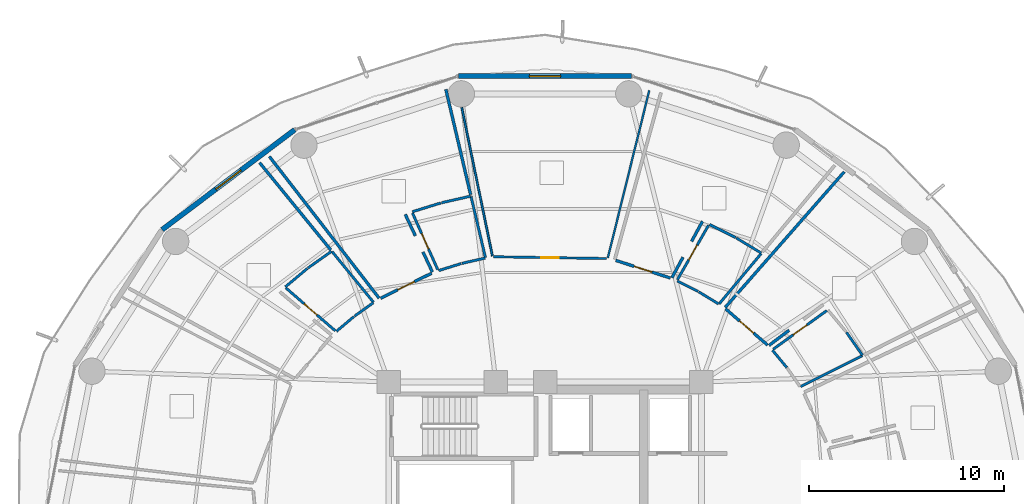
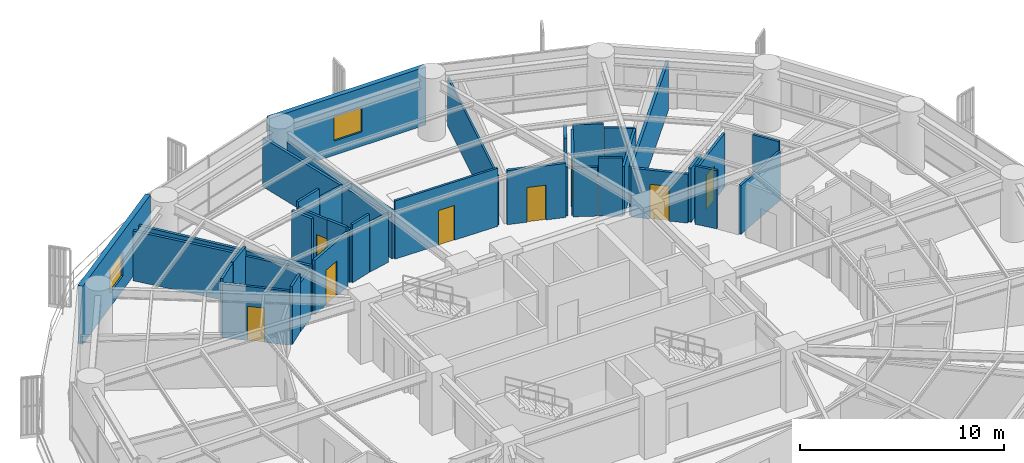
# One storey, part 31 of 36: 39 walls, 8 doors, 2 windows, 10 openings.
"""IFC4 building model written with IfcOpenShell, lengths in metres."""

from ifc_helpers import new_model, si_unit, direction, frame, frame_2d, origin, place, context, subcontext, project, spatial, rectangle, extrude, material, layer, layer_set, type_object, element, fill, save


model = new_model("IFC4")

# Units and contexts
model_context = context("Model", 3, precision=1e-05, world=origin(), true_north=direction((0.0, 1.0)))
body_context = subcontext(model_context, "Body", "Model", "MODEL_VIEW")
ifc_project = project(units=[si_unit("LENGTHUNIT", "METRE"), si_unit("AREAUNIT", "SQUARE_METRE"), si_unit("VOLUMEUNIT", "CUBIC_METRE"), si_unit("PLANEANGLEUNIT", "RADIAN"), si_unit("MASSUNIT", "GRAM", prefix="KILO")], contexts=[model_context])

# Site, building, storey
site_placement = place(None, origin())
site = spatial("IfcSite", under=ifc_project, at=site_placement, CompositionType="ELEMENT")
building_placement = place(site_placement, origin())
building = spatial("IfcBuilding", under=site, at=building_placement, Name="Kelanora Arch Commons", CompositionType="ELEMENT")
storey_placement = place(building_placement, frame((0.0, 0.0, 102.60009765625)))
storey = spatial("IfcBuildingStorey", under=building, at=storey_placement, Name="L26", CompositionType="ELEMENT", Elevation=102.60009765625)

# Wall, opening, door
ifc_material_1 = material(Name="Autoclaved aerated concrete blockwork with fire plaster", Category="masonry")
ifc_layer_1 = layer(ifc_material_1, 0.14990234375)
ifc_layer_set_1 = layer_set([ifc_layer_1], Name="Autoclaved aerated concrete blockwork with fire plaster")
wall_type_1 = type_object("IfcWallType", Name="W-COMP-150", PredefinedType="PARTITIONING", material=ifc_layer_set_1)
wall_1_placement = place(storey_placement, frame((85.384521484375, 66.89013671875, 0.0), z_axis=(0.0, 0.0, 1.0), x_axis=(-0.756913909666, 0.65351460072, 0.0)))
wall_1 = element("IfcWall", 1, at=wall_1_placement, inside=storey, type_object=wall_type_1, Name="Co-Living Studio L26-02 Entry Partition", PredefinedType="PARTITIONING", context=body_context, shape_type="SweptSolid", body=[
    extrude(rectangle(XDim=2.838134765625, YDim=0.14990234375, at=frame_2d((1.4189453125, 0.0))), origin(), (0.0, 0.0, 1.0), 2.9248046875),
])
opening_1_placement = place(wall_1_placement, frame((0.944091796875, 0.0, 0.0)))
opening_1 = element("IfcOpeningElement", 2, at=opening_1_placement, cuts=wall_1, Name="Opening D-CLU1", PredefinedType="OPENING", context=body_context, shape_type="SweptSolid", body=[
    extrude(rectangle(XDim=0.949951171875, YDim=2.080078125, at=frame_2d((0.47509765625, 1.0400390625))), frame((0.0, 0.0849609375, 0.0), z_axis=(0.0, -1.0, 0.0), x_axis=(1.0, 0.0, 0.0)), (0.0, 0.0, 1.0), 0.169921875),
])
ifc_material_2 = material(Name="Solid-core acoustic timber cluster entry fire door", Category="wood")
door_type_1 = type_object("IfcDoorType", Name="D-CLU-95", OperationType="NOTDEFINED", PredefinedType="DOOR", material=ifc_material_2)
door_1_placement = place(opening_1_placement, origin())
door_1 = element("IfcDoor", 3, at=door_1_placement, inside=storey, type_object=door_type_1, Name="Co-Living Studio L26-02 Door", OperationType="SINGLE_SWING_RIGHT", OverallHeight=2.080078125, OverallWidth=0.949951171875, PredefinedType="DOOR", context=body_context, shape_type="SweptSolid", body=[
    extrude(rectangle(XDim=0.949951171875, YDim=2.080078125, at=frame_2d((0.47509765625, 1.0400390625))), frame((0.0, 0.02490234375, 0.0), z_axis=(0.0, -1.0, 0.0), x_axis=(1.0, 0.0, 0.0)), (0.0, 0.0, 1.0), 0.050048828125),
])
fill(opening_1, door_1)

wall_2_placement = place(storey_placement, frame((80.414794921875, 70.3203125, 0.0), z_axis=(0.0, 0.0, 1.0), x_axis=(-0.951622481895, 0.307269673009, 0.0)))
wall_2 = element("IfcWall", 4, at=wall_2_placement, inside=storey, type_object=wall_type_1, Name="Co-Living Studio L26-03 Entry Partition", PredefinedType="PARTITIONING", context=body_context, shape_type="SweptSolid", body=[
    extrude(rectangle(XDim=2.93994140625, YDim=0.14990234375, at=frame_2d((1.469970703125, 0.0))), origin(), (0.0, 0.0, 1.0), 3.23486328125),
])
opening_2_placement = place(wall_2_placement, frame((0.9951171875, 0.0, 0.0)))
opening_2 = element("IfcOpeningElement", 5, at=opening_2_placement, cuts=wall_2, Name="Opening D-CLU1", PredefinedType="OPENING", context=body_context, shape_type="SweptSolid", body=[
    extrude(rectangle(XDim=0.949951171875, YDim=2.080078125, at=frame_2d((0.47509765625, 1.0400390625))), frame((0.0, 0.0849609375, 0.0), z_axis=(0.0, -1.0, 0.0), x_axis=(1.0, 0.0, 0.0)), (0.0, 0.0, 1.0), 0.169921875),
])
door_2_placement = place(opening_2_placement, origin())
door_2 = element("IfcDoor", 6, at=door_2_placement, inside=storey, type_object=door_type_1, Name="Co-Living Studio L26-03 Door", OperationType="SINGLE_SWING_RIGHT", OverallHeight=2.080078125, OverallWidth=0.949951171875, PredefinedType="DOOR", context=body_context, shape_type="SweptSolid", body=[
    extrude(rectangle(XDim=0.949951171875, YDim=2.080078125, at=frame_2d((0.47509765625, 1.0400390625))), frame((0.0, 0.02490234375, 0.0), z_axis=(0.0, -1.0, 0.0), x_axis=(1.0, 0.0, 0.0)), (0.0, 0.0, 1.0), 0.050048828125),
])
fill(opening_2, door_2)

wall_3_placement = place(storey_placement, frame((68.196044921875, 70.566650390625, 0.0), z_axis=(0.0, 0.0, 1.0), x_axis=(-0.89794088417, -0.440116085296, 0.0)))
wall_3 = element("IfcWall", 7, at=wall_3_placement, inside=storey, type_object=wall_type_1, Name="Co-Living Studio L26-05 Entry Partition", PredefinedType="PARTITIONING", context=body_context, shape_type="SweptSolid", body=[
    extrude(rectangle(XDim=2.908935546875, YDim=0.14990234375, at=frame_2d((1.45458984375, 0.0))), origin(), (0.0, 0.0, 1.0), 3.23486328125),
])
opening_3_placement = place(wall_3_placement, frame((0.97998046875, 0.0, 0.0)))
opening_3 = element("IfcOpeningElement", 8, at=opening_3_placement, cuts=wall_3, Name="Opening D-CLU1", PredefinedType="OPENING", context=body_context, shape_type="SweptSolid", body=[
    extrude(rectangle(XDim=0.949951171875, YDim=2.080078125, at=frame_2d((0.47509765625, 1.0400390625))), frame((0.0, 0.0849609375, 0.0), z_axis=(0.0, -1.0, 0.0), x_axis=(1.0, 0.0, 0.0)), (0.0, 0.0, 1.0), 0.169921875),
])
door_3_placement = place(opening_3_placement, origin())
door_3 = element("IfcDoor", 9, at=door_3_placement, inside=storey, type_object=door_type_1, Name="Co-Living Studio L26-05 Door", OperationType="SINGLE_SWING_LEFT", OverallHeight=2.080078125, OverallWidth=0.949951171875, PredefinedType="DOOR", context=body_context, shape_type="SweptSolid", body=[
    extrude(rectangle(XDim=0.949951171875, YDim=2.080078125, at=frame_2d((0.47509765625, 1.0400390625))), frame((0.0, 0.02490234375, 0.0), z_axis=(0.0, -1.0, 0.0), x_axis=(1.0, 0.0, 0.0)), (0.0, 0.0, 1.0), 0.050048828125),
])
fill(opening_3, door_3)

# Walls
wall_4_placement = place(storey_placement, frame((83.21728515625, 68.814208984375, 0.0), z_axis=(0.0, 0.0, 1.0), x_axis=(0.659635901966, 0.751585309088, 0.0)))
element("IfcWall", 10, at=wall_4_placement, inside=storey, type_object=wall_type_1, Name="Co-Living Studio L26-02 Enclosure Partition 2", PredefinedType="PARTITIONING", context=body_context, shape_type="SweptSolid", body=[
    extrude(rectangle(XDim=9.2373046875, YDim=0.14990234375, at=frame_2d((4.61865234375, 0.0))), origin(), (0.0, 0.0, 1.0), 2.9248046875),
])
wall_5_placement = place(storey_placement, frame((86.4912109375, 67.649169921875, 0.0), z_axis=(0.0, 0.0, 1.0), x_axis=(-0.799180360415, -0.601091300492, 0.0)))
element("IfcWall", 11, at=wall_5_placement, inside=storey, type_object=wall_type_1, Name="Co-Living Studio L26-02 Enclosure Partition 7", PredefinedType="PARTITIONING", context=body_context, shape_type="SweptSolid", body=[
    extrude(rectangle(XDim=1.287841796875, YDim=0.14990234375, at=frame_2d((0.64404296875, 0.0))), origin(), (0.0, 0.0, 1.0), 3.23486328125),
])
wall_6_placement = place(storey_placement, frame((82.053955078125, 73.2216796875, 0.0), z_axis=(0.0, 0.0, 1.0), x_axis=(-0.476431432847, -0.879211629698, 0.0)))
element("IfcWall", 12, at=wall_6_placement, inside=storey, type_object=wall_type_1, Name="Co-Living Studio L26-03 Enclosure Partition 7", PredefinedType="PARTITIONING", context=body_context, shape_type="SweptSolid", body=[
    extrude(rectangle(XDim=1.166748046875, YDim=0.14990234375, at=frame_2d((0.58349609375, 0.0))), origin(), (0.0, 0.0, 1.0), 3.1748046875),
])
wall_7_placement = place(storey_placement, frame((81.0595703125, 71.38671875, 0.0), z_axis=(0.0, 0.0, 1.0), x_axis=(-0.476184304259, -0.879345500004, 0.0)))
element("IfcWall", 13, at=wall_7_placement, inside=storey, type_object=wall_type_1, Name="Co-Living Studio L26-03 Enclosure Partition 7", PredefinedType="PARTITIONING", context=body_context, shape_type="SweptSolid", body=[
    extrude(rectangle(XDim=1.193603515625, YDim=0.14990234375, at=frame_2d((0.5966796875, 0.0))), origin(), (0.0, 0.0, 1.0), 2.9248046875),
])
wall_8_placement = place(storey_placement, frame((65.505615234375, 69.29150390625, 0.0), z_axis=(0.0, 0.0, 1.0), x_axis=(-0.612364923916, 0.790575233585, 0.0)))
element("IfcWall", 14, at=wall_8_placement, inside=storey, type_object=wall_type_1, Name="Co-Living Studio L26-05 Enclosure Partition 2", PredefinedType="PARTITIONING", context=body_context, shape_type="SweptSolid", body=[
    extrude(rectangle(XDim=9.167724609375, YDim=0.14990234375, at=frame_2d((4.583984375, 0.0))), origin(), (0.0, 0.0, 1.0), 2.9248046875),
])
wall_9_placement = place(storey_placement, frame((68.923095703125, 79.97412109375, 0.0), z_axis=(0.0, 0.0, 1.0), x_axis=(0.228901508724, -0.973449587449, 0.0)))
element("IfcWall", 15, at=wall_9_placement, inside=storey, type_object=wall_type_1, Name="Co-Living Studio L26-05 Enclosure Partition 5", PredefinedType="PARTITIONING", context=body_context, shape_type="SweptSolid", body=[
    extrude(rectangle(XDim=5.529052734375, YDim=0.14990234375, at=frame_2d((2.7646484375, 0.0))), origin(), (0.0, 0.0, 1.0), 2.9248046875),
])
wall_10_placement = place(storey_placement, frame((66.843994140625, 73.581787109375, 0.0), z_axis=(0.0, 0.0, 1.0), x_axis=(0.42562282943, -0.904900661436, 0.0)))
element("IfcWall", 16, at=wall_10_placement, inside=storey, type_object=wall_type_1, Name="Co-Living Studio L26-05 Enclosure Partition 7", PredefinedType="PARTITIONING", context=body_context, shape_type="SweptSolid", body=[
    extrude(rectangle(XDim=1.21484375, YDim=0.14990234375, at=frame_2d((0.607421875, 0.0))), origin(), (0.0, 0.0, 1.0), 3.1748046875),
])
wall_11_placement = place(storey_placement, frame((67.7529296875, 71.649658203125, 0.0), z_axis=(0.0, 0.0, 1.0), x_axis=(0.425609366017, -0.904906993872, 0.0)))
element("IfcWall", 17, at=wall_11_placement, inside=storey, type_object=wall_type_1, Name="Co-Living Studio L26-05 Enclosure Partition 7", PredefinedType="PARTITIONING", context=body_context, shape_type="SweptSolid", body=[
    extrude(rectangle(XDim=1.127685546875, YDim=0.14990234375, at=frame_2d((0.56396484375, 0.0))), origin(), (0.0, 0.0, 1.0), 3.47998046875),
])
wall_12_placement = place(storey_placement, frame((59.390380859375, 76.22509765625, 0.0), z_axis=(0.0, 0.0, 1.0), x_axis=(0.632139440809, -0.774854649192, 0.0)))
element("IfcWall", 18, at=wall_12_placement, inside=storey, type_object=wall_type_1, Name="Co-Living Studio L26-06 Enclosure Partition 5", PredefinedType="PARTITIONING", context=body_context, shape_type="SweptSolid", body=[
    extrude(rectangle(XDim=5.764892578125, YDim=0.14990234375, at=frame_2d((2.88232421875, 0.0))), origin(), (0.0, 0.0, 1.0), 2.974853515625),
])

# Wall, opening, window
ifc_material_3 = material(Name="Precast concrete C40/50 with terracotta rainscreen", Category="masonry")
ifc_layer_2 = layer(ifc_material_3, 0.260009765625)
ifc_layer_set_2 = layer_set([ifc_layer_2], Name="Precast concrete C40/50 with terracotta rainscreen")
wall_type_2 = type_object("IfcWallType", Name="W-EXT-TC", PredefinedType="SOLIDWALL", material=ifc_layer_set_2)
wall_13_placement = place(storey_placement, frame((78.430419921875, 80.650634765625, 0.0), z_axis=(0.0, 0.0, 1.0), x_axis=(-1.0, 0.0, 0.0)))
wall_13 = element("IfcWall", 19, at=wall_13_placement, inside=storey, type_object=wall_type_2, Name="Terracotta Exterior Wall L26-B04", PredefinedType="SOLIDWALL", context=body_context, shape_type="SweptSolid", body=[
    extrude(rectangle(XDim=8.86083984375, YDim=0.260009765625, at=frame_2d((4.430419921875, 0.0))), origin(), (0.0, 0.0, 1.0), 3.474853515625),
])
opening_4_placement = place(wall_13_placement, frame((3.6298828125, 0.0, 0.85009765625)))
opening_4 = element("IfcOpeningElement", 20, at=opening_4_placement, cuts=wall_13, Name="Opening WN-01", PredefinedType="OPENING", context=body_context, shape_type="SweptSolid", body=[
    extrude(rectangle(XDim=1.60009765625, YDim=1.449951171875, at=frame_2d((0.800048828125, 0.72509765625))), frame((0.0, 0.14013671875, 0.0), z_axis=(0.0, -1.0, 0.0), x_axis=(1.0, 0.0, 0.0)), (0.0, 0.0, 1.0), 0.280029296875),
])
ifc_material_4 = material(Name="Terracotta-anodised aluminium frame with operable low-E glazing", Category="masonry")
window_type = type_object("IfcWindowType", Name="WIN-CL-18", PartitioningType="DOUBLE_PANEL_VERTICAL", PredefinedType="WINDOW", material=ifc_material_4)
window_1_placement = place(opening_4_placement, origin())
window_1 = element("IfcWindow", 21, at=window_1_placement, inside=storey, type_object=window_type, Name="Co-Living Operable Window L26-B04", OverallHeight=1.449951171875, OverallWidth=1.60009765625, PartitioningType="SINGLE_PANEL", PredefinedType="WINDOW", context=body_context, shape_type="SweptSolid", body=[
    extrude(rectangle(XDim=1.60009765625, YDim=1.449951171875, at=frame_2d((0.800048828125, 0.72509765625))), frame((0.0, 0.030029296875, 0.0), z_axis=(0.0, -1.0, 0.0), x_axis=(1.0, 0.0, 0.0)), (0.0, 0.0, 1.0), 0.06005859375),
])
fill(opening_4, window_1)

wall_14_placement = place(storey_placement, frame((61.18798828125, 77.90966796875, 0.0), z_axis=(0.0, 0.0, 1.0), x_axis=(-0.798501507879, -0.601992808857, 0.0)))
wall_14 = element("IfcWall", 22, at=wall_14_placement, inside=storey, type_object=wall_type_2, Name="Terracotta Exterior Wall L26-B06", PredefinedType="SOLIDWALL", context=body_context, shape_type="SweptSolid", body=[
    extrude(rectangle(XDim=8.499267578125, YDim=0.260009765625, at=frame_2d((4.24951171875, 0.0))), origin(), (0.0, 0.0, 1.0), 3.474853515625),
])
opening_5_placement = place(wall_14_placement, frame((3.449951171875, 0.0, 0.85009765625)))
opening_5 = element("IfcOpeningElement", 23, at=opening_5_placement, cuts=wall_14, Name="Opening WN-01", PredefinedType="OPENING", context=body_context, shape_type="SweptSolid", body=[
    extrude(rectangle(XDim=1.60009765625, YDim=1.449951171875, at=frame_2d((0.800048828125, 0.72509765625))), frame((0.0, 0.14013671875, 0.0), z_axis=(0.0, -1.0, 0.0), x_axis=(1.0, 0.0, 0.0)), (0.0, 0.0, 1.0), 0.280029296875),
])
window_2_placement = place(opening_5_placement, origin())
window_2 = element("IfcWindow", 24, at=window_2_placement, inside=storey, type_object=window_type, Name="Co-Living Operable Window L26-B06", OverallHeight=1.449951171875, OverallWidth=1.60009765625, PartitioningType="SINGLE_PANEL", PredefinedType="WINDOW", context=body_context, shape_type="SweptSolid", body=[
    extrude(rectangle(XDim=1.60009765625, YDim=1.449951171875, at=frame_2d((0.800048828125, 0.72509765625))), frame((0.0, 0.030029296875, 0.0), z_axis=(0.0, -1.0, 0.0), x_axis=(1.0, 0.0, 0.0)), (0.0, 0.0, 1.0), 0.06005859375),
])
fill(opening_5, window_2)

# Walls
ifc_material_5 = material(Name="Lightweight fire-rated acoustic stud partition")
ifc_layer_3 = layer(ifc_material_5, 0.10009765625)
ifc_layer_set_3 = layer_set([ifc_layer_3], Name="Lightweight fire-rated acoustic stud partition")
wall_type_3 = type_object("IfcWallType", Name="W-PART-100", PredefinedType="PARTITIONING", material=ifc_layer_set_3)
wall_15_placement = place(storey_placement, frame((71.304931640625, 71.44921875, 0.0), z_axis=(0.0, 0.0, 1.0), x_axis=(-0.202123638545, 0.979360012836, 0.0)))
element("IfcWall", 25, at=wall_15_placement, inside=storey, type_object=wall_type_3, Name="Communal Dining and Social Hall L26-04 Enclosure Partition 2", PredefinedType="PARTITIONING", context=body_context, shape_type="SweptSolid", body=[
    extrude(rectangle(XDim=7.755859375, YDim=0.10009765625, at=frame_2d((3.8779296875, 0.0))), origin(), (0.0, 0.0, 1.0), 2.9248046875),
])
wall_16_placement = place(storey_placement, frame((79.33349609375, 79.92529296875, 0.0), z_axis=(0.0, 0.0, 1.0), x_axis=(-0.240342194274, -0.970688224741, 0.0)))
element("IfcWall", 26, at=wall_16_placement, inside=storey, type_object=wall_type_3, Name="Communal Dining and Social Hall L26-04 Enclosure Partition 4", PredefinedType="PARTITIONING", context=body_context, shape_type="SweptSolid", body=[
    extrude(rectangle(XDim=8.828369140625, YDim=0.10009765625, at=frame_2d((4.4140625, 0.0))), origin(), (0.0, 0.0, 1.0), 2.9248046875),
])

# Wall, opening, door
ifc_material_6 = material(Name="Acoustic twin-stud fire-rated gypsum partition")
ifc_layer_4 = layer(ifc_material_6, 0.1201171875)
ifc_layer_set_4 = layer_set([ifc_layer_4], Name="Acoustic twin-stud fire-rated gypsum partition")
wall_type_4 = type_object("IfcWallType", Name="W-PART-120", PredefinedType="PARTITIONING", material=ifc_layer_set_4)
wall_17_placement = place(storey_placement, frame((77.14208984375, 71.31787109375, 0.0), z_axis=(0.0, 0.0, 1.0), x_axis=(-0.999874771211, 0.015825356091, 0.0)))
wall_17 = element("IfcWall", 27, at=wall_17_placement, inside=storey, type_object=wall_type_4, Name="Communal Dining and Social Hall L26-04 Entry Partition", PredefinedType="PARTITIONING", context=body_context, shape_type="SweptSolid", body=[
    extrude(rectangle(XDim=5.769775390625, YDim=0.1201171875, at=frame_2d((2.884765625, 0.0))), origin(), (0.0, 0.0, 1.0), 3.47998046875),
])
opening_6_placement = place(wall_17_placement, frame((2.43505859375, 0.0, 0.0)))
opening_6 = element("IfcOpeningElement", 28, at=opening_6_placement, cuts=wall_17, Name="Opening D-RM1", PredefinedType="OPENING", context=body_context, shape_type="SweptSolid", body=[
    extrude(rectangle(XDim=0.89990234375, YDim=2.080078125, at=frame_2d((0.449951171875, 1.0400390625))), frame((0.0, 0.070068359375, 0.0), z_axis=(0.0, -1.0, 0.0), x_axis=(1.0, 0.0, 0.0)), (0.0, 0.0, 1.0), 0.14013671875),
])
ifc_material_7 = material(Name="Acoustic fire-rated timber study and lounge door", Category="wood")
door_type_2 = type_object("IfcDoorType", Name="D-ROOM-90", OperationType="NOTDEFINED", PredefinedType="DOOR", material=ifc_material_7)
door_4_placement = place(opening_6_placement, origin())
door_4 = element("IfcDoor", 29, at=door_4_placement, inside=storey, type_object=door_type_2, Name="Communal Dining and Social Hall L26-04 Door", OperationType="SINGLE_SWING_LEFT", OverallHeight=2.080078125, OverallWidth=0.89990234375, PredefinedType="DOOR", context=body_context, shape_type="SweptSolid", body=[
    extrude(rectangle(XDim=0.89990234375, YDim=2.080078125, at=frame_2d((0.449951171875, 1.0400390625))), frame((0.0, 0.02490234375, 0.0), z_axis=(0.0, -1.0, 0.0), x_axis=(1.0, 0.0, 0.0)), (0.0, 0.0, 1.0), 0.050048828125),
])
fill(opening_6, door_4)

ifc_material_8 = material(Name="Moisture-resistant fire-rated cement-board plumbing wall")
ifc_layer_5 = layer(ifc_material_8, 0.1298828125)
ifc_layer_set_5 = layer_set([ifc_layer_5], Name="Moisture-resistant fire-rated cement-board plumbing wall")
wall_type_5 = type_object("IfcWallType", Name="W-WET-120", PredefinedType="PLUMBINGWALL", material=ifc_layer_set_5)
wall_18_placement = place(storey_placement, frame((85.672607421875, 66.676025390625, 0.0), z_axis=(0.0, 0.0, 1.0), x_axis=(0.811192287952, 0.584779507137, 0.0)))
wall_18 = element("IfcWall", 30, at=wall_18_placement, inside=storey, type_object=wall_type_5, Name="En-Suite Shower WC L26-02 Entry Partition", PredefinedType="PLUMBINGWALL", context=body_context, shape_type="SweptSolid", body=[
    extrude(rectangle(XDim=3.3857421875, YDim=0.1298828125, at=frame_2d((1.69287109375, 0.0))), origin(), (0.0, 0.0, 1.0), 3.23486328125),
])
opening_7_placement = place(wall_18_placement, frame((1.262939453125, 0.0, 0.0)))
opening_7 = element("IfcOpeningElement", 31, at=opening_7_placement, cuts=wall_18, Name="Opening D-BT1", PredefinedType="OPENING", context=body_context, shape_type="SweptSolid", body=[
    extrude(rectangle(XDim=0.860107421875, YDim=2.050048828125, at=frame_2d((0.43017578125, 1.02490234375))), frame((0.0, 0.074951171875, 0.0), z_axis=(0.0, -1.0, 0.0), x_axis=(1.0, 0.0, 0.0)), (0.0, 0.0, 1.0), 0.14990234375),
])
ifc_material_9 = material(Name="Moisture-sealed fire-rated accessible bathroom door")
door_type_3 = type_object("IfcDoorType", Name="D-BATH-85", OperationType="NOTDEFINED", PredefinedType="DOOR", material=ifc_material_9)
door_5_placement = place(opening_7_placement, origin())
door_5 = element("IfcDoor", 32, at=door_5_placement, inside=storey, type_object=door_type_3, Name="En-Suite Shower WC L26-02 Door", OperationType="SINGLE_SWING_LEFT", OverallHeight=2.050048828125, OverallWidth=0.860107421875, PredefinedType="DOOR", context=body_context, shape_type="SweptSolid", body=[
    extrude(rectangle(XDim=0.860107421875, YDim=2.050048828125, at=frame_2d((0.43017578125, 1.02490234375))), frame((0.0, 0.02490234375, 0.0), z_axis=(0.0, -1.0, 0.0), x_axis=(1.0, 0.0, 0.0)), (0.0, 0.0, 1.0), 0.050048828125),
])
fill(opening_7, door_5)

wall_19_placement = place(storey_placement, frame((80.772705078125, 70.233154296875, 0.0), z_axis=(0.0, 0.0, 1.0), x_axis=(0.49568821927, 0.868500540747, 0.0)))
wall_19 = element("IfcWall", 33, at=wall_19_placement, inside=storey, type_object=wall_type_5, Name="En-Suite Shower WC L26-03 Entry Partition", PredefinedType="PLUMBINGWALL", context=body_context, shape_type="SweptSolid", body=[
    extrude(rectangle(XDim=3.208740234375, YDim=0.1298828125, at=frame_2d((1.6044921875, 0.0))), origin(), (0.0, 0.0, 1.0), 2.9248046875),
])
opening_8_placement = place(wall_19_placement, frame((1.174072265625, 0.0, 0.0)))
opening_8 = element("IfcOpeningElement", 34, at=opening_8_placement, cuts=wall_19, Name="Opening D-BT1", PredefinedType="OPENING", context=body_context, shape_type="SweptSolid", body=[
    extrude(rectangle(XDim=0.860107421875, YDim=2.050048828125, at=frame_2d((0.43017578125, 1.02490234375))), frame((0.0, 0.074951171875, 0.0), z_axis=(0.0, -1.0, 0.0), x_axis=(1.0, 0.0, 0.0)), (0.0, 0.0, 1.0), 0.14990234375),
])
door_6_placement = place(opening_8_placement, origin())
door_6 = element("IfcDoor", 35, at=door_6_placement, inside=storey, type_object=door_type_3, Name="En-Suite Shower WC L26-03 Door", OperationType="SINGLE_SWING_LEFT", OverallHeight=2.050048828125, OverallWidth=0.860107421875, PredefinedType="DOOR", context=body_context, shape_type="SweptSolid", body=[
    extrude(rectangle(XDim=0.860107421875, YDim=2.050048828125, at=frame_2d((0.43017578125, 1.02490234375))), frame((0.0, 0.02490234375, 0.0), z_axis=(0.0, -1.0, 0.0), x_axis=(1.0, 0.0, 0.0)), (0.0, 0.0, 1.0), 0.050048828125),
])
fill(opening_8, door_6)

wall_20_placement = place(storey_placement, frame((68.505615234375, 70.749755859375, 0.0), z_axis=(0.0, 0.0, 1.0), x_axis=(-0.406231177337, 0.913770337973, 0.0)))
wall_20 = element("IfcWall", 36, at=wall_20_placement, inside=storey, type_object=wall_type_5, Name="En-Suite Shower WC L26-05 Entry Partition", PredefinedType="PLUMBINGWALL", context=body_context, shape_type="SweptSolid", body=[
    extrude(rectangle(XDim=3.17626953125, YDim=0.1298828125, at=frame_2d((1.588134765625, 0.0))), origin(), (0.0, 0.0, 1.0), 3.1748046875),
])
opening_9_placement = place(wall_20_placement, frame((1.157958984375, 0.0, 0.0)))
opening_9 = element("IfcOpeningElement", 37, at=opening_9_placement, cuts=wall_20, Name="Opening D-BT1", PredefinedType="OPENING", context=body_context, shape_type="SweptSolid", body=[
    extrude(rectangle(XDim=0.860107421875, YDim=2.050048828125, at=frame_2d((0.43017578125, 1.02490234375))), frame((0.0, 0.074951171875, 0.0), z_axis=(0.0, -1.0, 0.0), x_axis=(1.0, 0.0, 0.0)), (0.0, 0.0, 1.0), 0.14990234375),
])
door_7_placement = place(opening_9_placement, origin())
door_7 = element("IfcDoor", 38, at=door_7_placement, inside=storey, type_object=door_type_3, Name="En-Suite Shower WC L26-05 Door", OperationType="SINGLE_SWING_RIGHT", OverallHeight=2.050048828125, OverallWidth=0.860107421875, PredefinedType="DOOR", context=body_context, shape_type="SweptSolid", body=[
    extrude(rectangle(XDim=0.860107421875, YDim=2.050048828125, at=frame_2d((0.43017578125, 1.02490234375))), frame((0.0, 0.02490234375, 0.0), z_axis=(0.0, -1.0, 0.0), x_axis=(1.0, 0.0, 0.0)), (0.0, 0.0, 1.0), 0.050048828125),
])
fill(opening_9, door_7)

wall_21_placement = place(storey_placement, frame((63.263671875, 67.619384765625, 0.0), z_axis=(0.0, 0.0, 1.0), x_axis=(-0.75497608509, 0.65575232439, 0.0)))
wall_21 = element("IfcWall", 39, at=wall_21_placement, inside=storey, type_object=wall_type_5, Name="En-Suite Shower WC L26-06 Entry Partition", PredefinedType="PLUMBINGWALL", context=body_context, shape_type="SweptSolid", body=[
    extrude(rectangle(XDim=3.34619140625, YDim=0.1298828125, at=frame_2d((1.673095703125, 0.0))), origin(), (0.0, 0.0, 1.0), 3.23486328125),
])
opening_10_placement = place(wall_21_placement, frame((1.242919921875, 0.0, 0.0)))
opening_10 = element("IfcOpeningElement", 40, at=opening_10_placement, cuts=wall_21, Name="Opening D-BT1", PredefinedType="OPENING", context=body_context, shape_type="SweptSolid", body=[
    extrude(rectangle(XDim=0.860107421875, YDim=2.050048828125, at=frame_2d((0.43017578125, 1.02490234375))), frame((0.0, 0.074951171875, 0.0), z_axis=(0.0, -1.0, 0.0), x_axis=(1.0, 0.0, 0.0)), (0.0, 0.0, 1.0), 0.14990234375),
])
door_8_placement = place(opening_10_placement, origin())
door_8 = element("IfcDoor", 41, at=door_8_placement, inside=storey, type_object=door_type_3, Name="En-Suite Shower WC L26-06 Door", OperationType="SINGLE_SWING_RIGHT", OverallHeight=2.050048828125, OverallWidth=0.860107421875, PredefinedType="DOOR", context=body_context, shape_type="SweptSolid", body=[
    extrude(rectangle(XDim=0.860107421875, YDim=2.050048828125, at=frame_2d((0.43017578125, 1.02490234375))), frame((0.0, 0.02490234375, 0.0), z_axis=(0.0, -1.0, 0.0), x_axis=(1.0, 0.0, 0.0)), (0.0, 0.0, 1.0), 0.050048828125),
])
fill(opening_10, door_8)

# Walls
wall_22_placement = place(storey_placement, frame((86.3701171875, 65.739501953125, 0.0), z_axis=(0.0, 0.0, 1.0), x_axis=(-0.63765459476, 0.770322411579, 0.0)))
element("IfcWall", 42, at=wall_22_placement, inside=storey, type_object=wall_type_5, Name="En-Suite Shower WC L26-02 Enclosure Partition 2", PredefinedType="PLUMBINGWALL", context=body_context, shape_type="SweptSolid", body=[
    extrude(rectangle(XDim=1.150146484375, YDim=0.1298828125, at=frame_2d((0.5751953125, 0.0))), origin(), (0.0, 0.0, 1.0), 3.47998046875),
])
wall_23_placement = place(storey_placement, frame((89.42529296875, 67.54052734375, 0.0), z_axis=(0.0, 0.0, 1.0), x_axis=(0.571009238548, -0.820943633566, 0.0)))
element("IfcWall", 43, at=wall_23_placement, inside=storey, type_object=wall_type_5, Name="En-Suite Shower WC L26-02 Enclosure Partition 5", PredefinedType="PLUMBINGWALL", context=body_context, shape_type="SweptSolid", body=[
    extrude(rectangle(XDim=1.42431640625, YDim=0.1298828125, at=frame_2d((0.712158203125, 0.0))), origin(), (0.0, 0.0, 1.0), 3.47998046875),
])
wall_24_placement = place(storey_placement, frame((90.232177734375, 66.345947265625, 0.0), z_axis=(0.0, 0.0, 1.0), x_axis=(-0.893873710096, -0.448318849034, 0.0)))
element("IfcWall", 44, at=wall_24_placement, inside=storey, type_object=wall_type_5, Name="En-Suite Shower WC L26-02 Enclosure Partition 6", PredefinedType="PLUMBINGWALL", context=body_context, shape_type="SweptSolid", body=[
    extrude(rectangle(XDim=3.533203125, YDim=0.1298828125, at=frame_2d((1.7666015625, 0.0))), origin(), (0.0, 0.0, 1.0), 2.9248046875),
])
wall_25_placement = place(storey_placement, frame((82.880859375, 68.995361328125, 0.0), z_axis=(0.0, 0.0, 1.0), x_axis=(-0.854269908405, 0.51982970634, 0.0)))
element("IfcWall", 45, at=wall_25_placement, inside=storey, type_object=wall_type_5, Name="En-Suite Shower WC L26-03 Enclosure Partition 1", PredefinedType="PLUMBINGWALL", context=body_context, shape_type="SweptSolid", body=[
    extrude(rectangle(XDim=1.189208984375, YDim=0.1298828125, at=frame_2d((0.5947265625, 0.0))), origin(), (0.0, 0.0, 1.0), 3.47998046875),
])
wall_26_placement = place(storey_placement, frame((81.830078125, 69.633056640625, 0.0), z_axis=(0.0, 0.0, 1.0), x_axis=(-0.89291318054, 0.450228888475, 0.0)))
element("IfcWall", 46, at=wall_26_placement, inside=storey, type_object=wall_type_5, Name="En-Suite Shower WC L26-03 Enclosure Partition 2", PredefinedType="PLUMBINGWALL", context=body_context, shape_type="SweptSolid", body=[
    extrude(rectangle(XDim=1.197265625, YDim=0.1298828125, at=frame_2d((0.5986328125, 0.0))), origin(), (0.0, 0.0, 1.0), 2.9248046875),
])
wall_27_placement = place(storey_placement, frame((82.410888671875, 73.06298828125, 0.0), z_axis=(0.0, 0.0, 1.0), x_axis=(0.893970784776, -0.448125245848, 0.0)))
element("IfcWall", 47, at=wall_27_placement, inside=storey, type_object=wall_type_5, Name="En-Suite Shower WC L26-03 Enclosure Partition 4", PredefinedType="PLUMBINGWALL", context=body_context, shape_type="SweptSolid", body=[
    extrude(rectangle(XDim=1.499267578125, YDim=0.1298828125, at=frame_2d((0.74951171875, 0.0))), origin(), (0.0, 0.0, 1.0), 3.1748046875),
])
wall_28_placement = place(storey_placement, frame((83.7861328125, 72.37158203125, 0.0), z_axis=(0.0, 0.0, 1.0), x_axis=(0.855341160713, -0.518065149175, 0.0)))
element("IfcWall", 48, at=wall_28_placement, inside=storey, type_object=wall_type_5, Name="En-Suite Shower WC L26-03 Enclosure Partition 5", PredefinedType="PLUMBINGWALL", context=body_context, shape_type="SweptSolid", body=[
    extrude(rectangle(XDim=1.48681640625, YDim=0.1298828125, at=frame_2d((0.743408203125, 0.0))), origin(), (0.0, 0.0, 1.0), 2.9248046875),
])
wall_29_placement = place(storey_placement, frame((85.062255859375, 71.57568359375, 0.0), z_axis=(0.0, 0.0, 1.0), x_axis=(-0.641092758396, -0.767463403123, 0.0)))
element("IfcWall", 49, at=wall_29_placement, inside=storey, type_object=wall_type_5, Name="En-Suite Shower WC L26-03 Enclosure Partition 6", PredefinedType="PLUMBINGWALL", context=body_context, shape_type="SweptSolid", body=[
    extrude(rectangle(XDim=3.355712890625, YDim=0.1298828125, at=frame_2d((1.677734375, 0.0))), origin(), (0.0, 0.0, 1.0), 2.9248046875),
])
wall_30_placement = place(storey_placement, frame((70.9326171875, 71.342529296875, 0.0), z_axis=(0.0, 0.0, 1.0), x_axis=(-0.974915720647, -0.222574341818, 0.0)))
element("IfcWall", 50, at=wall_30_placement, inside=storey, type_object=wall_type_5, Name="En-Suite Shower WC L26-05 Enclosure Partition 1", PredefinedType="PLUMBINGWALL", context=body_context, shape_type="SweptSolid", body=[
    extrude(rectangle(XDim=1.217529296875, YDim=0.1298828125, at=frame_2d((0.60888671875, 0.0))), origin(), (0.0, 0.0, 1.0), 2.9248046875),
])
wall_31_placement = place(storey_placement, frame((69.706787109375, 71.06103515625, 0.0), z_axis=(0.0, 0.0, 1.0), x_axis=(-0.954873275734, -0.297013513646, 0.0)))
element("IfcWall", 51, at=wall_31_placement, inside=storey, type_object=wall_type_5, Name="En-Suite Shower WC L26-05 Enclosure Partition 2", PredefinedType="PLUMBINGWALL", context=body_context, shape_type="SweptSolid", body=[
    extrude(rectangle(XDim=1.21240234375, YDim=0.1298828125, at=frame_2d((0.606201171875, 0.0))), origin(), (0.0, 0.0, 1.0), 3.47998046875),
])
wall_32_placement = place(storey_placement, frame((67.210205078125, 73.712890625, 0.0), z_axis=(0.0, 0.0, 1.0), x_axis=(0.955249123401, 0.295802488566, 0.0)))
element("IfcWall", 52, at=wall_32_placement, inside=storey, type_object=wall_type_5, Name="En-Suite Shower WC L26-05 Enclosure Partition 4", PredefinedType="PLUMBINGWALL", context=body_context, shape_type="SweptSolid", body=[
    extrude(rectangle(XDim=1.5185546875, YDim=0.1298828125, at=frame_2d((0.75927734375, 0.0))), origin(), (0.0, 0.0, 1.0), 3.47998046875),
])
wall_33_placement = place(storey_placement, frame((68.699462890625, 74.17236328125, 0.0), z_axis=(0.0, 0.0, 1.0), x_axis=(0.975247540647, 0.221115884688, 0.0)))
element("IfcWall", 53, at=wall_33_placement, inside=storey, type_object=wall_type_5, Name="En-Suite Shower WC L26-05 Enclosure Partition 5", PredefinedType="PLUMBINGWALL", context=body_context, shape_type="SweptSolid", body=[
    extrude(rectangle(XDim=1.52490234375, YDim=0.1298828125, at=frame_2d((0.762451171875, 0.0))), origin(), (0.0, 0.0, 1.0), 2.9248046875),
])
wall_34_placement = place(storey_placement, frame((70.210693359375, 74.494384765625, 0.0), z_axis=(0.0, 0.0, 1.0), x_axis=(0.229284929256, -0.973359348451, 0.0)))
element("IfcWall", 54, at=wall_34_placement, inside=storey, type_object=wall_type_5, Name="En-Suite Shower WC L26-05 Enclosure Partition 6", PredefinedType="PLUMBINGWALL", context=body_context, shape_type="SweptSolid", body=[
    extrude(rectangle(XDim=3.213623046875, YDim=0.1298828125, at=frame_2d((1.60693359375, 0.0))), origin(), (0.0, 0.0, 1.0), 2.9248046875),
])
wall_35_placement = place(storey_placement, frame((65.212646484375, 69.057373046875, 0.0), z_axis=(0.0, 0.0, 1.0), x_axis=(-0.814779575245, -0.579770854531, 0.0)))
element("IfcWall", 55, at=wall_35_placement, inside=storey, type_object=wall_type_5, Name="En-Suite Shower WC L26-06 Enclosure Partition 1", PredefinedType="PLUMBINGWALL", context=body_context, shape_type="SweptSolid", body=[
    extrude(rectangle(XDim=1.18115234375, YDim=0.1298828125, at=frame_2d((0.590576171875, 0.0))), origin(), (0.0, 0.0, 1.0), 2.9248046875),
])
wall_36_placement = place(storey_placement, frame((64.21875, 68.34814453125, 0.0), z_axis=(0.0, 0.0, 1.0), x_axis=(-0.764137277769, -0.645053657244, 0.0)))
element("IfcWall", 56, at=wall_36_placement, inside=storey, type_object=wall_type_5, Name="En-Suite Shower WC L26-06 Enclosure Partition 2", PredefinedType="PLUMBINGWALL", context=body_context, shape_type="SweptSolid", body=[
    extrude(rectangle(XDim=1.170654296875, YDim=0.1298828125, at=frame_2d((0.58544921875, 0.0))), origin(), (0.0, 0.0, 1.0), 3.47998046875),
])
wall_37_placement = place(storey_placement, frame((60.707275390625, 69.86572265625, 0.0), z_axis=(0.0, 0.0, 1.0), x_axis=(0.766482767596, 0.642264872913, 0.0)))
element("IfcWall", 57, at=wall_37_placement, inside=storey, type_object=wall_type_5, Name="En-Suite Shower WC L26-06 Enclosure Partition 4", PredefinedType="PLUMBINGWALL", context=body_context, shape_type="SweptSolid", body=[
    extrude(rectangle(XDim=1.46435546875, YDim=0.1298828125, at=frame_2d((0.732177734375, 0.0))), origin(), (0.0, 0.0, 1.0), 3.47998046875),
])
wall_38_placement = place(storey_placement, frame((61.861328125, 70.83056640625, 0.0), z_axis=(0.0, 0.0, 1.0), x_axis=(0.816339578676, 0.577572239886, 0.0)))
element("IfcWall", 58, at=wall_38_placement, inside=storey, type_object=wall_type_5, Name="En-Suite Shower WC L26-06 Enclosure Partition 5", PredefinedType="PLUMBINGWALL", context=body_context, shape_type="SweptSolid", body=[
    extrude(rectangle(XDim=1.4765625, YDim=0.1298828125, at=frame_2d((0.73828125, 0.0))), origin(), (0.0, 0.0, 1.0), 3.47998046875),
])
wall_39_placement = place(storey_placement, frame((63.095703125, 71.679443359375, 0.0), z_axis=(0.0, 0.0, 1.0), x_axis=(0.632781461548, -0.774330434583, 0.0)))
element("IfcWall", 59, at=wall_39_placement, inside=storey, type_object=wall_type_5, Name="En-Suite Shower WC L26-06 Enclosure Partition 6", PredefinedType="PLUMBINGWALL", context=body_context, shape_type="SweptSolid", body=[
    extrude(rectangle(XDim=3.351318359375, YDim=0.1298828125, at=frame_2d((1.67578125, 0.0))), origin(), (0.0, 0.0, 1.0), 2.9248046875),
])

save(model, "model.ifc")
